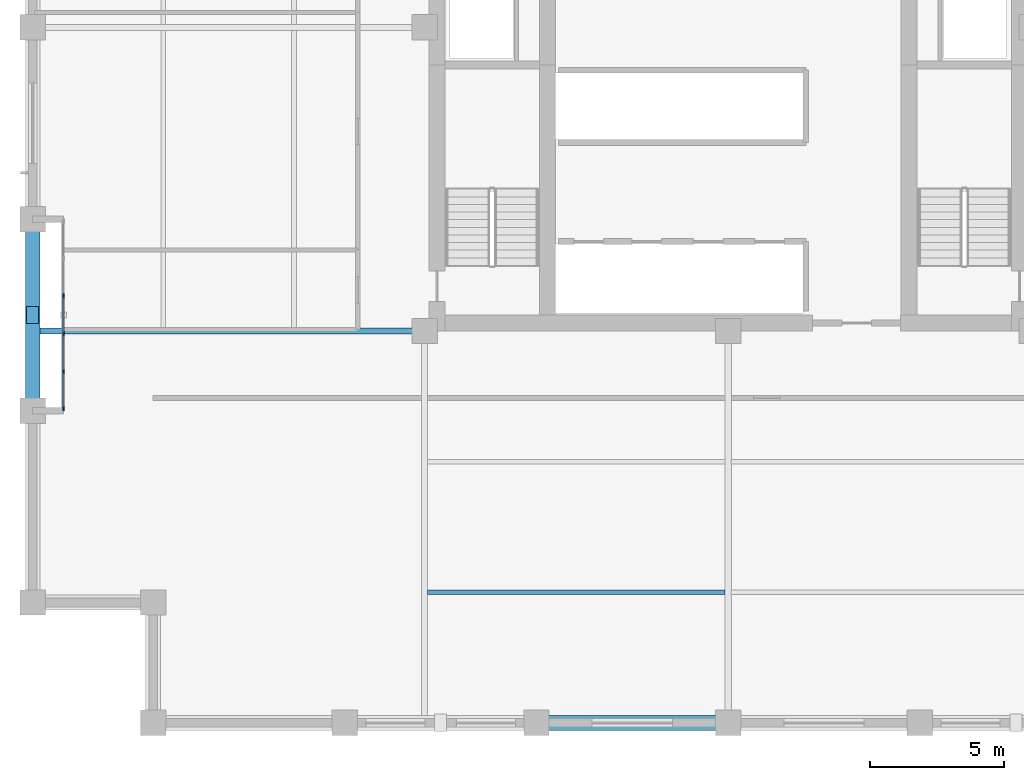
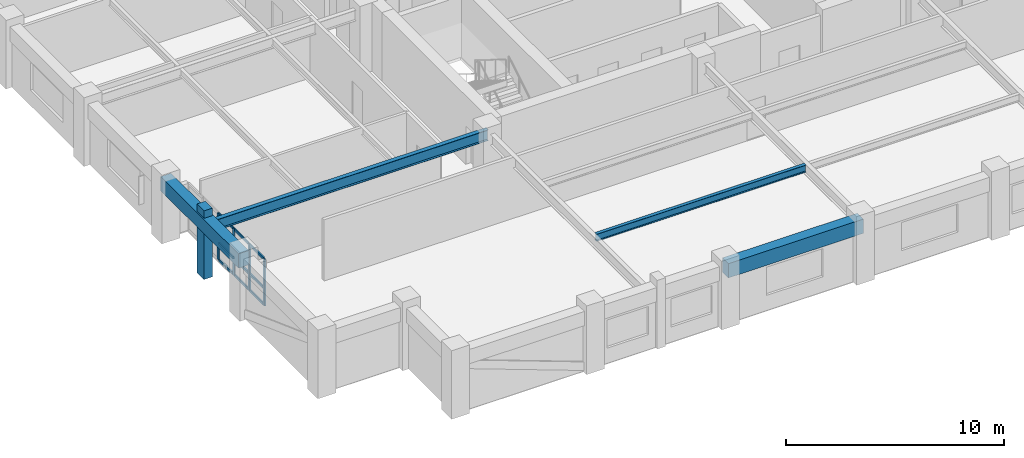
# One storey, part 2 of 14: 14 members, 4 beams, 1 element without a shape of its own.
"""IFC4 building model written with IfcOpenShell, lengths in metres."""

from ifc_helpers import new_model, si_unit, direction, frame, origin, origin_2d, place, context, subcontext, project, spatial, rectangle, i_section, extrude, material, layer, layer_set, material_profile, profile_set, type_object, element, aggregate, save


model = new_model("IFC4")

# Units and contexts
model_context = context("Model", 3, precision=1e-05, world=origin(), true_north=direction((0.0, 1.0)))
body_context = subcontext(model_context, "Body", "Model", "MODEL_VIEW")
ifc_project = project(units=[si_unit("LENGTHUNIT", "METRE"), si_unit("AREAUNIT", "SQUARE_METRE"), si_unit("VOLUMEUNIT", "CUBIC_METRE"), si_unit("PLANEANGLEUNIT", "RADIAN"), si_unit("MASSUNIT", "GRAM", prefix="KILO")], contexts=[model_context])

# Site, building, storey
site_placement = place(None, origin())
site = spatial("IfcSite", under=ifc_project, at=site_placement, CompositionType="ELEMENT")
building_placement = place(site_placement, origin())
building = spatial("IfcBuilding", under=site, at=building_placement, Name="Nhamokura Convention Tower", CompositionType="ELEMENT")
storey_placement = place(building_placement, frame((0.0, 0.0, 172.199951171875)))
storey = spatial("IfcBuildingStorey", under=building, at=storey_placement, Name="L42", CompositionType="ELEMENT", Elevation=172.199951171875)

# Member
ifc_material_1 = material(Name="Bronze-pigmented precast concrete C45/55", Category="concrete")
ifc_material_profile_1 = material_profile(ifc_material_1, rectangle(XDim=0.449951171875, YDim=0.64990234375, at=origin_2d()))
ifc_profile_set_1 = profile_set([ifc_material_profile_1], Name="Bronze-pigmented precast concrete C45/55")
member_type_1 = type_object("IfcMemberType", Name="BronzePilaster_650", PredefinedType="USERDEFINED", material=ifc_profile_set_1)
member_1_placement = place(storey_placement, frame((6.0, 21.25, 0.0), z_axis=(0.0, 0.0, 1.0), x_axis=(1.0, 0.0, 0.0)))
element("IfcMember", 1, at=member_1_placement, inside=storey, type_object=member_type_1, Name="L42 Engaged Frame Pilaster WEST 1", ObjectType="PILASTER_TRIM", PredefinedType="USERDEFINED", context=body_context, shape_type="SweptSolid", body=[
    extrude(rectangle(XDim=0.449951171875, YDim=0.64990234375, at=origin_2d()), origin(), (0.0, 0.0, 1.0), 3.85009765625),
])

# Curtain wall, members
ifc_material_2 = material(Name="Anodised bronze aluminium AA6063-T6", Category="aluminium")
ifc_layer = layer(ifc_material_2, 0.159912109375)
ifc_layer_set = layer_set([ifc_layer], Name="CWSystem_ScaleSlot_Zone2")
curtain_wall_type = type_object("IfcCurtainWallType", Name="CWSystem_ScaleSlot_Zone2", PredefinedType="NOTDEFINED", material=ifc_layer_set)
curtain_wall_placement = place(storey_placement, origin())
curtain_wall = element("IfcCurtainWall", 2, at=curtain_wall_placement, inside=storey, type_object=curtain_wall_type, Name="L42 Curtain Wall ENV-L42-SLOT-W1", PredefinedType="NOTDEFINED")
ifc_material_3 = material(Name="Anodised bronze aluminium AA6063-T6", Category="aluminium")
ifc_material_profile_2 = material_profile(ifc_material_3, rectangle(XDim=0.06494140625, YDim=0.1650390625, at=origin_2d()))
ifc_profile_set_2 = profile_set([ifc_material_profile_2], Name="Anodised bronze aluminium AA6063-T6")
member_type_2 = type_object("IfcMemberType", Name="CWMullion_3", PredefinedType="MULLION", material=ifc_profile_set_2)
member_2_placement = place(storey_placement, frame((7.14990234375, 17.75927734375, 0.0), z_axis=(0.0, 0.0, 1.0), x_axis=(-1.0, 0.0, 0.0)))
member_2 = element("IfcMember", 3, at=member_2_placement, type_object=member_type_2, Name="CW-04 mullion 1", PredefinedType="MULLION", context=body_context, shape_type="SweptSolid", body=[
    extrude(rectangle(XDim=0.06494140625, YDim=0.1650390625, at=origin_2d()), origin(), (0.0, 0.0, 1.0), 2.630126953125),
])
member_3_placement = place(storey_placement, frame((7.14990234375, 19.135986328125, 0.0), z_axis=(0.0, 0.0, 1.0), x_axis=(-1.0, 0.0, 0.0)))
member_3 = element("IfcMember", 4, at=member_3_placement, type_object=member_type_2, Name="CW-04 mullion 2", PredefinedType="MULLION", context=body_context, shape_type="SweptSolid", body=[
    extrude(rectangle(XDim=0.06494140625, YDim=0.1650390625, at=origin_2d()), origin(), (0.0, 0.0, 1.0), 2.630126953125),
])
member_4_placement = place(storey_placement, frame((7.14990234375, 20.54541015625, 0.0), z_axis=(0.0, 0.0, 1.0), x_axis=(-1.0, 0.0, 0.0)))
member_4 = element("IfcMember", 5, at=member_4_placement, type_object=member_type_2, Name="CW-04 mullion 3", PredefinedType="MULLION", context=body_context, shape_type="SweptSolid", body=[
    extrude(rectangle(XDim=0.06494140625, YDim=0.1650390625, at=origin_2d()), origin(), (0.0, 0.0, 1.0), 2.630126953125),
])
member_5_placement = place(storey_placement, frame((7.14990234375, 21.95458984375, 0.0), z_axis=(0.0, 0.0, 1.0), x_axis=(-1.0, 0.0, 0.0)))
member_5 = element("IfcMember", 6, at=member_5_placement, type_object=member_type_2, Name="CW-04 mullion 4", PredefinedType="MULLION", context=body_context, shape_type="SweptSolid", body=[
    extrude(rectangle(XDim=0.06494140625, YDim=0.1650390625, at=origin_2d()), origin(), (0.0, 0.0, 1.0), 2.630126953125),
])
ifc_material_4 = material(Name="Anodised bronze aluminium AA6063-T6", Category="aluminium")
ifc_material_profile_3 = material_profile(ifc_material_4, rectangle(XDim=0.06494140625, YDim=0.139892578125, at=origin_2d()))
ifc_profile_set_3 = profile_set([ifc_material_profile_3], Name="Anodised bronze aluminium AA6063-T6")
member_type_3 = type_object("IfcMemberType", Name="CWTransom_3", PredefinedType="USERDEFINED", material=ifc_profile_set_3)
member_6_placement = place(storey_placement, frame((7.14990234375, 17.791748046875, 0.032470703125), z_axis=(0.0, 1.0, 0.0), x_axis=(-1.0, 0.0, 0.0)))
member_6 = element("IfcMember", 7, at=member_6_placement, type_object=member_type_3, Name="CW-04 transom 1.1", ObjectType="TRANSOM", PredefinedType="USERDEFINED", context=body_context, shape_type="SweptSolid", body=[
    extrude(rectangle(XDim=0.06494140625, YDim=0.139892578125, at=origin_2d()), origin(), (0.0, 0.0, 1.0), 1.311767578125),
])
member_7_placement = place(storey_placement, frame((7.14990234375, 17.791748046875, 0.949951171875), z_axis=(0.0, 1.0, 0.0), x_axis=(-1.0, 0.0, 0.0)))
member_7 = element("IfcMember", 8, at=member_7_placement, type_object=member_type_3, Name="CW-04 transom 1.2", ObjectType="TRANSOM", PredefinedType="USERDEFINED", context=body_context, shape_type="SweptSolid", body=[
    extrude(rectangle(XDim=0.06494140625, YDim=0.139892578125, at=origin_2d()), origin(), (0.0, 0.0, 1.0), 1.311767578125),
])
member_8_placement = place(storey_placement, frame((7.14990234375, 17.791748046875, 2.59765625), z_axis=(0.0, 1.0, 0.0), x_axis=(-1.0, 0.0, 0.0)))
member_8 = element("IfcMember", 9, at=member_8_placement, type_object=member_type_3, Name="CW-04 transom 1.3", ObjectType="TRANSOM", PredefinedType="USERDEFINED", context=body_context, shape_type="SweptSolid", body=[
    extrude(rectangle(XDim=0.06494140625, YDim=0.139892578125, at=origin_2d()), origin(), (0.0, 0.0, 1.0), 1.311767578125),
])
member_9_placement = place(storey_placement, frame((7.14990234375, 19.16845703125, 0.032470703125), z_axis=(0.0, 1.0, 0.0), x_axis=(-1.0, 0.0, 0.0)))
member_9 = element("IfcMember", 10, at=member_9_placement, type_object=member_type_3, Name="CW-04 transom 2.1", ObjectType="TRANSOM", PredefinedType="USERDEFINED", context=body_context, shape_type="SweptSolid", body=[
    extrude(rectangle(XDim=0.06494140625, YDim=0.139892578125, at=origin_2d()), origin(), (0.0, 0.0, 1.0), 1.344482421875),
])
member_10_placement = place(storey_placement, frame((7.14990234375, 19.16845703125, 0.949951171875), z_axis=(0.0, 1.0, 0.0), x_axis=(-1.0, 0.0, 0.0)))
member_10 = element("IfcMember", 11, at=member_10_placement, type_object=member_type_3, Name="CW-04 transom 2.2", ObjectType="TRANSOM", PredefinedType="USERDEFINED", context=body_context, shape_type="SweptSolid", body=[
    extrude(rectangle(XDim=0.06494140625, YDim=0.139892578125, at=origin_2d()), origin(), (0.0, 0.0, 1.0), 1.344482421875),
])
member_11_placement = place(storey_placement, frame((7.14990234375, 19.16845703125, 2.59765625), z_axis=(0.0, 1.0, 0.0), x_axis=(-1.0, 0.0, 0.0)))
member_11 = element("IfcMember", 12, at=member_11_placement, type_object=member_type_3, Name="CW-04 transom 2.3", ObjectType="TRANSOM", PredefinedType="USERDEFINED", context=body_context, shape_type="SweptSolid", body=[
    extrude(rectangle(XDim=0.06494140625, YDim=0.139892578125, at=origin_2d()), origin(), (0.0, 0.0, 1.0), 1.344482421875),
])
member_12_placement = place(storey_placement, frame((7.14990234375, 20.577880859375, 0.032470703125), z_axis=(0.0, 1.0, 0.0), x_axis=(-1.0, 0.0, 0.0)))
member_12 = element("IfcMember", 13, at=member_12_placement, type_object=member_type_3, Name="CW-04 transom 3.1", ObjectType="TRANSOM", PredefinedType="USERDEFINED", context=body_context, shape_type="SweptSolid", body=[
    extrude(rectangle(XDim=0.06494140625, YDim=0.139892578125, at=origin_2d()), origin(), (0.0, 0.0, 1.0), 1.34423828125),
])
member_13_placement = place(storey_placement, frame((7.14990234375, 20.577880859375, 0.949951171875), z_axis=(0.0, 1.0, 0.0), x_axis=(-1.0, 0.0, 0.0)))
member_13 = element("IfcMember", 14, at=member_13_placement, type_object=member_type_3, Name="CW-04 transom 3.2", ObjectType="TRANSOM", PredefinedType="USERDEFINED", context=body_context, shape_type="SweptSolid", body=[
    extrude(rectangle(XDim=0.06494140625, YDim=0.139892578125, at=origin_2d()), origin(), (0.0, 0.0, 1.0), 1.34423828125),
])
member_14_placement = place(storey_placement, frame((7.14990234375, 20.577880859375, 2.59765625), z_axis=(0.0, 1.0, 0.0), x_axis=(-1.0, 0.0, 0.0)))
member_14 = element("IfcMember", 15, at=member_14_placement, type_object=member_type_3, Name="CW-04 transom 3.3", ObjectType="TRANSOM", PredefinedType="USERDEFINED", context=body_context, shape_type="SweptSolid", body=[
    extrude(rectangle(XDim=0.06494140625, YDim=0.139892578125, at=origin_2d()), origin(), (0.0, 0.0, 1.0), 1.34423828125),
])
aggregate(curtain_wall, [member_2, member_3, member_4, member_5, member_6, member_7, member_8, member_9, member_10, member_11, member_12, member_13, member_14])

# Beams
ifc_material_5 = material(Name="Steel ASTM A992 Gr 50", Category="steel")
ifc_material_profile_4 = material_profile(ifc_material_5, i_section(OverallWidth=0.177001953125, OverallDepth=0.403076171875, WebThickness=0.007568359375, FlangeThickness=0.010986328125, at=origin_2d()))
ifc_profile_set_4 = profile_set([ifc_material_profile_4], Name="Steel ASTM A992 Gr 50")
beam_type_1 = type_object("IfcBeamType", Name="FloorJoist_W410X53", PredefinedType="JOIST", material=ifc_profile_set_4)
beam_1_placement = place(storey_placement, frame((20.761962890625, 10.88330078125, 3.228515625), z_axis=(1.0, 0.0, 0.0), x_axis=(0.0, 1.0, 0.0)))
element("IfcBeam", 16, at=beam_1_placement, inside=storey, type_object=beam_type_1, Name="L42 Composite Floor Joist S1A", PredefinedType="JOIST", context=body_context, shape_type="SweptSolid", body=[
    extrude(i_section(OverallWidth=0.177001953125, OverallDepth=0.403076171875, WebThickness=0.007568359375, FlangeThickness=0.010986328125, at=origin_2d()), origin(), (0.0, 0.0, 1.0), 11.1259765625),
])
ifc_material_6 = material(Name="Steel ASTM A992 Gr 50", Category="steel")
ifc_material_profile_5 = material_profile(ifc_material_6, i_section(OverallWidth=0.22802734375, OverallDepth=0.60791015625, WebThickness=0.01123046875, FlangeThickness=0.017333984375, at=origin_2d()))
ifc_profile_set_5 = profile_set([ifc_material_profile_5], Name="Steel ASTM A992 Gr 50")
beam_type_2 = type_object("IfcBeamType", Name="PrimaryGirder_W610X113", PredefinedType="BEAM", material=ifc_profile_set_5)
beam_2_placement = place(storey_placement, frame((6.0, 20.64990234375, 3.1259765625), z_axis=(1.0, 0.0, 0.0), x_axis=(0.0, 1.0, 0.0)))
element("IfcBeam", 17, at=beam_2_placement, inside=storey, type_object=beam_type_2, Name="L42 Primary Floor Girder PG-W1", PredefinedType="BEAM", context=body_context, shape_type="SweptSolid", body=[
    extrude(i_section(OverallWidth=0.22802734375, OverallDepth=0.60791015625, WebThickness=0.01123046875, FlangeThickness=0.017333984375, at=origin_2d()), origin(), (0.0, 0.0, 1.0), 14.64990234375),
])
ifc_material_7 = material(Name="Concrete C50/60", Category="concrete")
ifc_material_profile_6 = material_profile(ifc_material_7, rectangle(XDim=0.550048828125, YDim=0.800048828125, at=origin_2d()))
ifc_profile_set_6 = profile_set([ifc_material_profile_6], Name="Concrete C50/60")
beam_type_3 = type_object("IfcBeamType", Name="TubeSpandrel_800", PredefinedType="SPANDREL", material=ifc_profile_set_6)
beam_3_placement = place(storey_placement, frame((24.833251953125, 6.0, 3.030029296875), z_axis=(1.0, 0.0, 0.0), x_axis=(0.0, 1.0, 0.0)))
element("IfcBeam", 18, at=beam_3_placement, inside=storey, type_object=beam_type_3, Name="L42 Perimeter Spandrel SOUTH 3", PredefinedType="SPANDREL", context=body_context, shape_type="SweptSolid", body=[
    extrude(rectangle(XDim=0.550048828125, YDim=0.800048828125, at=origin_2d()), origin(), (0.0, 0.0, 1.0), 7.166748046875),
])
beam_4_placement = place(storey_placement, frame((6.0, 17.666748046875, 3.030029296875), z_axis=(0.0, 1.0, 0.0), x_axis=(-1.0, 0.0, 0.0)))
element("IfcBeam", 19, at=beam_4_placement, inside=storey, type_object=beam_type_3, Name="L42 Perimeter Spandrel WEST 2", PredefinedType="SPANDREL", context=body_context, shape_type="SweptSolid", body=[
    extrude(rectangle(XDim=0.550048828125, YDim=0.800048828125, at=origin_2d()), origin(), (0.0, 0.0, 1.0), 7.16650390625),
])

save(model, "model.ifc")
